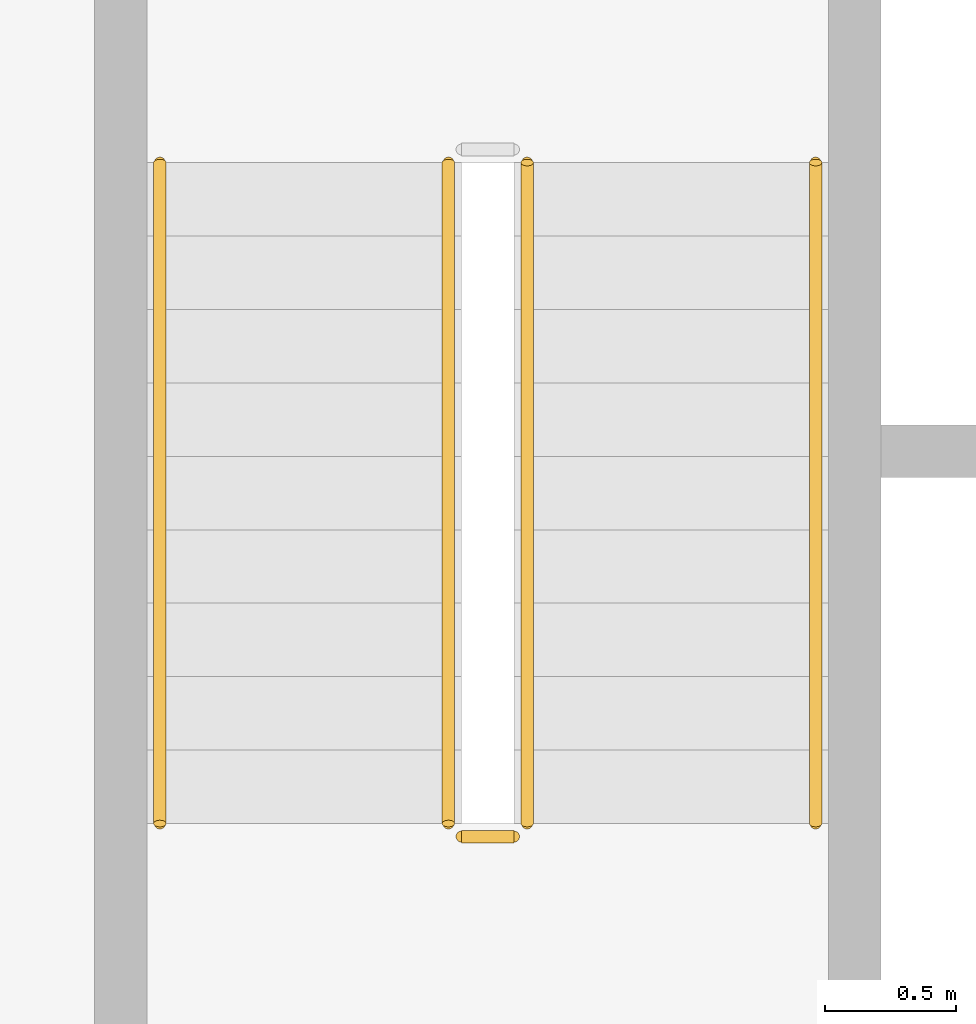
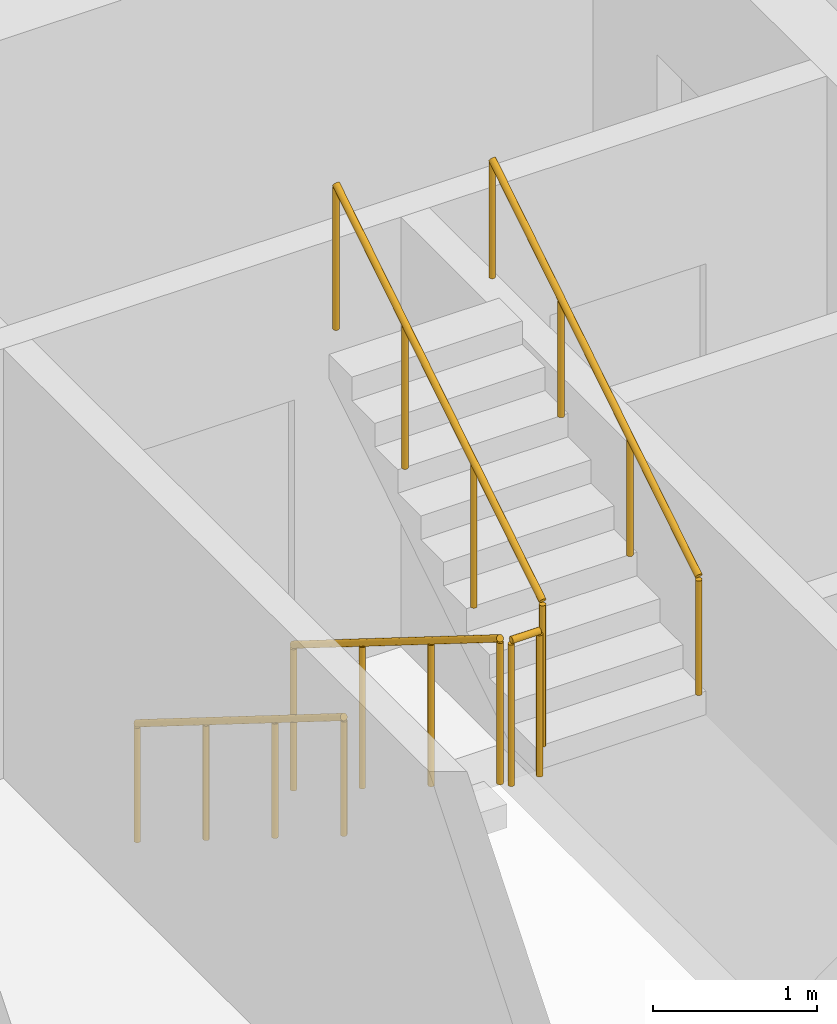
# One storey, part 15 of 22: 5 railings.
"""IFC4 building model written with IfcOpenShell, lengths in metres."""

from ifc_helpers import new_model, si_unit, direction, frame, origin, origin_2d, place, context, subcontext, project, spatial, circle, extrude, material, type_object, element, save


model = new_model("IFC4")

# Units and contexts
model_context = context("Model", 3, precision=1e-05, world=origin(), true_north=direction((0.0, 1.0)))
body_context = subcontext(model_context, "Body", "Model", "MODEL_VIEW")
ifc_project = project(units=[si_unit("LENGTHUNIT", "METRE"), si_unit("AREAUNIT", "SQUARE_METRE"), si_unit("VOLUMEUNIT", "CUBIC_METRE"), si_unit("PLANEANGLEUNIT", "RADIAN"), si_unit("MASSUNIT", "GRAM", prefix="KILO")], contexts=[model_context])

# Site, building, storey
site_placement = place(None, origin())
site = spatial("IfcSite", under=ifc_project, at=site_placement, CompositionType="ELEMENT")
building_placement = place(site_placement, origin())
building = spatial("IfcBuilding", under=site, at=building_placement, Name="Kiln Ring Residences", CompositionType="ELEMENT")
storey_placement = place(building_placement, frame((0.0, 0.0, 171.10009765625)))
storey = spatial("IfcBuildingStorey", under=building, at=storey_placement, Name="L44", CompositionType="ELEMENT", Elevation=171.10009765625)

# Railings
ifc_material_1 = material(Name="Stainless steel", Category="steel")
railing_type_1 = type_object("IfcRailingType", Name="CORE-STAIR-GUARD", PredefinedType="GUARDRAIL", material=ifc_material_1)
railing_1_placement = place(storey_placement, frame((-22.25, 8.39990234375, 0.1748046875)))
element("IfcRailing", 1, at=railing_1_placement, inside=storey, type_object=railing_type_1, Name="L44 W-STN stair guard 1", PredefinedType="GUARDRAIL", context=body_context, shape_type="SweptSolid", body=[
    extrude(circle(Radius=0.02392578125, at=origin_2d()), frame((0.0, 0.0, 1.076171875), z_axis=(0.0, -0.847970611238, 0.530043245855), x_axis=(1.0, 0.0, 0.0)), (0.0, 0.0, 1.0), 2.971923828125),
    extrude(circle(Radius=0.02099609375, at=origin_2d()), origin(), (0.0, 0.0, 1.0), 1.052001953125),
    extrude(circle(Radius=0.02099609375, at=origin_2d()), frame((0.0, -0.840087890625, 0.525146484375)), (0.0, 0.0, 1.0), 1.052001953125),
    extrude(circle(Radius=0.02099609375, at=origin_2d()), frame((0.0, -1.679931640625, 1.050048828125)), (0.0, 0.0, 1.0), 1.052001953125),
    extrude(circle(Radius=0.02099609375, at=origin_2d()), frame((0.0, -2.52001953125, 1.5751953125)), (0.0, 0.0, 1.0), 1.052001953125),
])
railing_2_placement = place(storey_placement, frame((-22.199951171875, 5.830078125, 1.75)))
element("IfcRailing", 2, at=railing_2_placement, inside=storey, type_object=railing_type_1, Name="L44 W-STN stair guard 2", PredefinedType="GUARDRAIL", context=body_context, shape_type="SweptSolid", body=[
    extrude(circle(Radius=0.02392578125, at=origin_2d()), frame((0.0, 0.0, 1.076171875), z_axis=(1.0, 0.0, 0.0), x_axis=(0.0, 1.0, 0.0)), (0.0, 0.0, 1.0), 0.199951171875),
    extrude(circle(Radius=0.02099609375, at=origin_2d()), origin(), (0.0, 0.0, 1.0), 1.052001953125),
    extrude(circle(Radius=0.02099609375, at=origin_2d()), frame((0.199951171875, 0.0, 0.0)), (0.0, 0.0, 1.0), 1.052001953125),
])
railing_3_placement = place(storey_placement, frame((-21.949951171875, 5.8798828125, 1.9248046875)))
element("IfcRailing", 3, at=railing_3_placement, inside=storey, type_object=railing_type_1, Name="L44 W-STN stair guard 3", PredefinedType="GUARDRAIL", context=body_context, shape_type="SweptSolid", body=[
    extrude(circle(Radius=0.02392578125, at=origin_2d()), frame((0.0, 0.0, 1.076171875), z_axis=(0.0, 0.847970611238, 0.530043245855), x_axis=(-1.0, 0.0, 0.0)), (0.0, 0.0, 1.0), 2.971923828125),
    extrude(circle(Radius=0.02099609375, at=origin_2d()), origin(), (0.0, 0.0, 1.0), 1.052001953125),
    extrude(circle(Radius=0.02099609375, at=origin_2d()), frame((0.0, 0.840087890625, 0.525146484375)), (0.0, 0.0, 1.0), 1.052001953125),
    extrude(circle(Radius=0.02099609375, at=origin_2d()), frame((0.0, 1.679931640625, 1.050048828125)), (0.0, 0.0, 1.0), 1.052001953125),
    extrude(circle(Radius=0.02099609375, at=origin_2d()), frame((0.0, 2.52001953125, 1.5751953125)), (0.0, 0.0, 1.0), 1.052001953125),
])
ifc_material_2 = material(Name="Stainless steel", Category="steel")
railing_type_2 = type_object("IfcRailingType", Name="CORE-STAIR-HANDRAIL", PredefinedType="HANDRAIL", material=ifc_material_2)
railing_4_placement = place(storey_placement, frame((-23.35009765625, 8.39990234375, 0.1748046875)))
element("IfcRailing", 4, at=railing_4_placement, inside=storey, type_object=railing_type_2, Name="L44 W-STN stair handrail 1", PredefinedType="HANDRAIL", context=body_context, shape_type="SweptSolid", body=[
    extrude(circle(Radius=0.02392578125, at=origin_2d()), frame((0.0, 0.0, 0.8759765625), z_axis=(0.0, -0.847970611238, 0.530043245855), x_axis=(1.0, 0.0, 0.0)), (0.0, 0.0, 1.0), 2.971923828125),
    extrude(circle(Radius=0.02099609375, at=origin_2d()), origin(), (0.0, 0.0, 1.0), 0.851806640625),
    extrude(circle(Radius=0.02099609375, at=origin_2d()), frame((0.0, -0.840087890625, 0.525146484375)), (0.0, 0.0, 1.0), 0.851806640625),
    extrude(circle(Radius=0.02099609375, at=origin_2d()), frame((0.0, -1.679931640625, 1.050048828125)), (0.0, 0.0, 1.0), 0.851806640625),
    extrude(circle(Radius=0.02099609375, at=origin_2d()), frame((0.0, -2.52001953125, 1.5751953125)), (0.0, 0.0, 1.0), 0.851806640625),
])
railing_5_placement = place(storey_placement, frame((-20.85009765625, 5.8798828125, 1.9248046875)))
element("IfcRailing", 5, at=railing_5_placement, inside=storey, type_object=railing_type_2, Name="L44 W-STN stair handrail 2", PredefinedType="HANDRAIL", context=body_context, shape_type="SweptSolid", body=[
    extrude(circle(Radius=0.02392578125, at=origin_2d()), frame((0.0, 0.0, 0.8759765625), z_axis=(0.0, 0.847970611238, 0.530043245855), x_axis=(-1.0, 0.0, 0.0)), (0.0, 0.0, 1.0), 2.971923828125),
    extrude(circle(Radius=0.02099609375, at=origin_2d()), origin(), (0.0, 0.0, 1.0), 0.851806640625),
    extrude(circle(Radius=0.02099609375, at=origin_2d()), frame((0.0, 0.840087890625, 0.525146484375)), (0.0, 0.0, 1.0), 0.851806640625),
    extrude(circle(Radius=0.02099609375, at=origin_2d()), frame((0.0, 1.679931640625, 1.050048828125)), (0.0, 0.0, 1.0), 0.851806640625),
    extrude(circle(Radius=0.02099609375, at=origin_2d()), frame((0.0, 2.52001953125, 1.5751953125)), (0.0, 0.0, 1.0), 0.851806640625),
])

save(model, "model.ifc")
